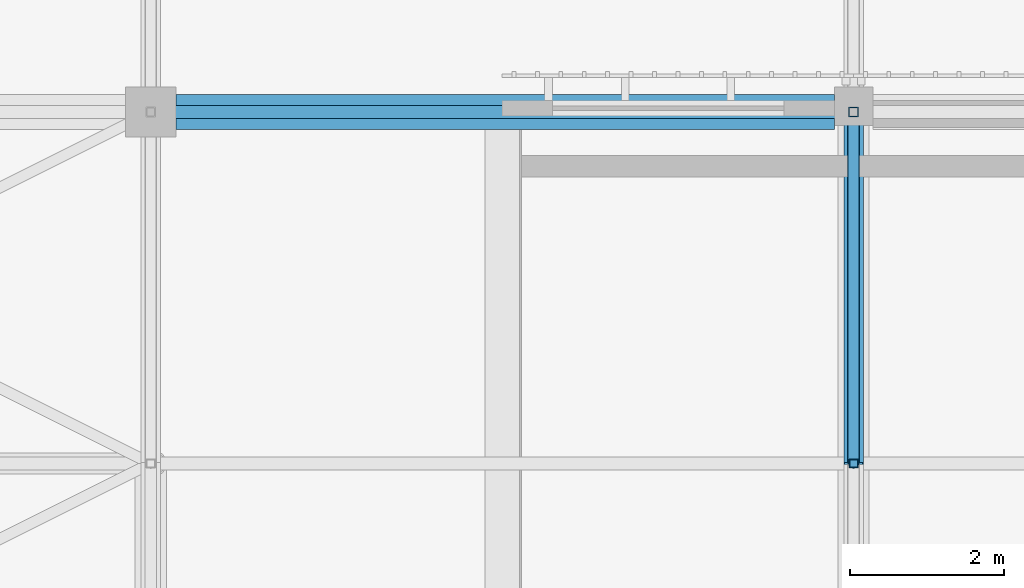
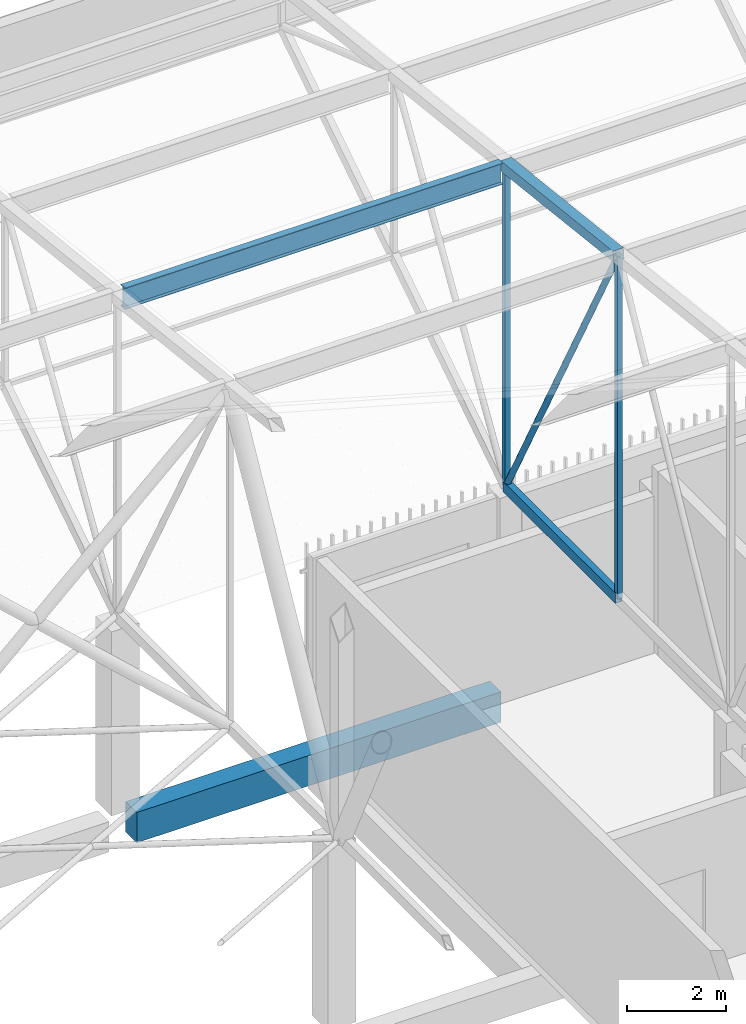
# One storey, part 322 of 500: 6 members, 1 beam.
"""IFC4 building model written with IfcOpenShell, lengths in metres."""

from ifc_helpers import new_model, si_unit, direction, frame, origin, origin_2d, place, context, subcontext, project, spatial, rectangle, hollow_rectangle, hollow_circle, i_section, extrude, material, material_profile, profile_set, type_object, element, save


model = new_model("IFC4")

# Units and contexts
model_context = context("Model", 3, precision=1e-05, world=origin(), true_north=direction((0.0, 1.0)))
body_context = subcontext(model_context, "Body", "Model", "MODEL_VIEW")
ifc_project = project(units=[si_unit("LENGTHUNIT", "METRE"), si_unit("AREAUNIT", "SQUARE_METRE"), si_unit("VOLUMEUNIT", "CUBIC_METRE"), si_unit("PLANEANGLEUNIT", "RADIAN"), si_unit("MASSUNIT", "GRAM", prefix="KILO")], contexts=[model_context])

# Site, building, storey
site_placement = place(None, origin())
site = spatial("IfcSite", under=ifc_project, at=site_placement, CompositionType="ELEMENT")
building_placement = place(site_placement, origin())
building = spatial("IfcBuilding", under=site, at=building_placement, Name="Shirokan Park Arena", CompositionType="ELEMENT")
storey_placement = place(building_placement, frame((0.0, 0.0, 29.1201171875)))
storey = spatial("IfcBuildingStorey", under=building, at=storey_placement, Name="L06", CompositionType="ELEMENT", Elevation=29.1201171875)

# Members
ifc_material_1 = material(Name="Steel ASTM A500 Grade C", Category="steel")
ifc_material_profile_1 = material_profile(ifc_material_1, hollow_rectangle(XDim=0.152099609375, YDim=0.25390625, WallThickness=0.009521484375, at=origin_2d()), Name="HSS254X152.4X9.5")
ifc_profile_set_1 = profile_set([ifc_material_profile_1], Name="Steel ASTM A500 Grade C")
member_type_1 = type_object("IfcMemberType", Name="Bottom chord HSS254X152.4X9.5", PredefinedType="CHORD", material=ifc_profile_set_1)
member_1_placement = place(storey_placement, frame((109.199951171875, 104.64990234375, 4.677001953125), z_axis=(0.0, 1.0, 0.0), x_axis=(-1.0, 0.0, 0.0)))
element("IfcMember", 1, at=member_1_placement, inside=storey, type_object=member_type_1, Name="Truss T13 bottom chord 26", PredefinedType="CHORD", context=body_context, shape_type="SweptSolid", body=[
    extrude(hollow_rectangle(XDim=0.152099609375, YDim=0.25390625, WallThickness=0.009521484375, at=origin_2d()), origin(), (0.0, 0.0, 1.0), 4.550048828125),
])
ifc_material_2 = material(Name="Steel ASTM A992", Category="steel")
ifc_material_profile_2 = material_profile(ifc_material_2, i_section(OverallWidth=0.166015625, OverallDepth=0.528076171875, WebThickness=0.009765625, FlangeThickness=0.013671875, at=origin_2d()), Name="W530X74")
ifc_profile_set_2 = profile_set([ifc_material_profile_2], Name="Steel ASTM A992")
member_type_2 = type_object("IfcMemberType", Name="Purlin W530X74", PredefinedType="PURLIN", material=ifc_profile_set_2)
member_2_placement = place(storey_placement, frame((100.22705078125, 109.199951171875, 12.48583984375), z_axis=(1.0, 0.0, 0.0), x_axis=(0.0, 1.0, 0.0)))
element("IfcMember", 2, at=member_2_placement, inside=storey, type_object=member_type_2, Name="Purlin 27 bay 12", PredefinedType="PURLIN", context=body_context, shape_type="SweptSolid", body=[
    extrude(i_section(OverallWidth=0.166015625, OverallDepth=0.528076171875, WebThickness=0.009765625, FlangeThickness=0.013671875, at=origin_2d()), origin(), (0.0, 0.0, 1.0), 8.845947265625),
])

# Beam
ifc_material_3 = material(Name="Concrete C35", Category="concrete")
ifc_material_profile_3 = material_profile(ifc_material_3, rectangle(XDim=0.449951171875, YDim=0.75, at=origin_2d()), Name="450x750")
ifc_profile_set_3 = profile_set([ifc_material_profile_3], Name="Concrete C35")
beam_type = type_object("IfcBeamType", Name="RC girder 450x750", PredefinedType="BEAM", material=ifc_profile_set_3)
beam_placement = place(storey_placement, frame((100.425048828125, 109.199951171875, -0.5751953125), z_axis=(1.0, 0.0, 0.0), x_axis=(0.0, 1.0, 0.0)))
element("IfcBeam", 3, at=beam_placement, inside=storey, type_object=beam_type, Name="Girder 12N-13N L06", PredefinedType="BEAM", context=body_context, shape_type="SweptSolid", body=[
    extrude(rectangle(XDim=0.449951171875, YDim=0.75, at=origin_2d()), origin(), (0.0, 0.0, 1.0), 8.52490234375),
])

# Members
ifc_material_profile_4 = material_profile(ifc_material_1, hollow_rectangle(XDim=0.25390625, YDim=0.25390625, WallThickness=0.009521484375, at=origin_2d()), Name="HSS254X254X9.5")
ifc_profile_set_4 = profile_set([ifc_material_profile_4], Name="Steel ASTM A500 Grade C")
member_type_3 = type_object("IfcMemberType", Name="Top chord HSS254X254X9.5", PredefinedType="CHORD", material=ifc_profile_set_4)
member_3_placement = place(storey_placement, frame((109.199951171875, 104.64990234375, 13.142822265625), z_axis=(0.0, 0.993532328996, -0.113549598152), x_axis=(-1.0, 0.0, 0.0)))
element("IfcMember", 4, at=member_3_placement, inside=storey, type_object=member_type_3, Name="Truss T13 top chord 26", PredefinedType="CHORD", context=body_context, shape_type="SweptSolid", body=[
    extrude(hollow_rectangle(XDim=0.25390625, YDim=0.25390625, WallThickness=0.009521484375, at=origin_2d()), origin(), (0.0, 0.0, 1.0), 4.57958984375),
])
ifc_material_profile_5 = material_profile(ifc_material_1, hollow_circle(Radius=0.070556640625, WallThickness=0.006591796875, at=origin_2d()), Name="HSS141.3X6.6")
ifc_profile_set_5 = profile_set([ifc_material_profile_5], Name="Steel ASTM A500 Grade C")
member_type_4 = type_object("IfcMemberType", Name="Truss diagonal HSS141.3X6.6", PredefinedType="BRACE", material=ifc_profile_set_5)
member_4_placement = place(storey_placement, frame((109.199951171875, 104.64990234375, 13.142822265625), z_axis=(0.0, 0.473416507165, -0.880838697347), x_axis=(-1.0, 0.0, 0.0)))
element("IfcMember", 5, at=member_4_placement, inside=storey, type_object=member_type_4, Name="Truss T13 diagonal 26", PredefinedType="BRACE", context=body_context, shape_type="SweptSolid", body=[
    extrude(hollow_circle(Radius=0.070556640625, WallThickness=0.006591796875, at=origin_2d()), origin(), (0.0, 0.0, 1.0), 9.611083984375),
])
ifc_material_profile_6 = material_profile(ifc_material_1, hollow_rectangle(XDim=0.114013671875, YDim=0.114013671875, WallThickness=0.00634765625, at=origin_2d()), Name="HSS114.3X114.3X6.4")
ifc_profile_set_6 = profile_set([ifc_material_profile_6], Name="Steel ASTM A500 Grade C")
member_type_5 = type_object("IfcMemberType", Name="Truss post HSS114.3X114.3X6.4", PredefinedType="POST", material=ifc_profile_set_6)
member_5_placement = place(storey_placement, frame((109.199951171875, 104.64990234375, 4.677001953125), z_axis=(0.0, 0.0, 1.0), x_axis=(1.0, 0.0, 0.0)))
element("IfcMember", 6, at=member_5_placement, inside=storey, type_object=member_type_5, Name="Truss T13 post 26", PredefinedType="POST", context=body_context, shape_type="SweptSolid", body=[
    extrude(hollow_rectangle(XDim=0.114013671875, YDim=0.114013671875, WallThickness=0.00634765625, at=origin_2d()), origin(), (0.0, 0.0, 1.0), 8.4658203125),
])
ifc_material_profile_7 = material_profile(ifc_material_1, hollow_rectangle(XDim=0.126953125, YDim=0.126953125, WallThickness=0.0126953125, at=origin_2d()), Name="HSS127X127X12.7")
ifc_profile_set_7 = profile_set([ifc_material_profile_7], Name="Steel ASTM A500 Grade C")
member_type_6 = type_object("IfcMemberType", Name="Truss post HSS127X127X12.7", PredefinedType="POST", material=ifc_profile_set_7)
member_6_placement = place(storey_placement, frame((109.199951171875, 109.199951171875, 4.677001953125), z_axis=(0.0, 0.0, 1.0), x_axis=(1.0, 0.0, 0.0)))
element("IfcMember", 7, at=member_6_placement, inside=storey, type_object=member_type_6, Name="Truss T13 post 27", PredefinedType="POST", context=body_context, shape_type="SweptSolid", body=[
    extrude(hollow_rectangle(XDim=0.126953125, YDim=0.126953125, WallThickness=0.0126953125, at=origin_2d()), origin(), (0.0, 0.0, 1.0), 7.94580078125),
])

save(model, "model.ifc")
